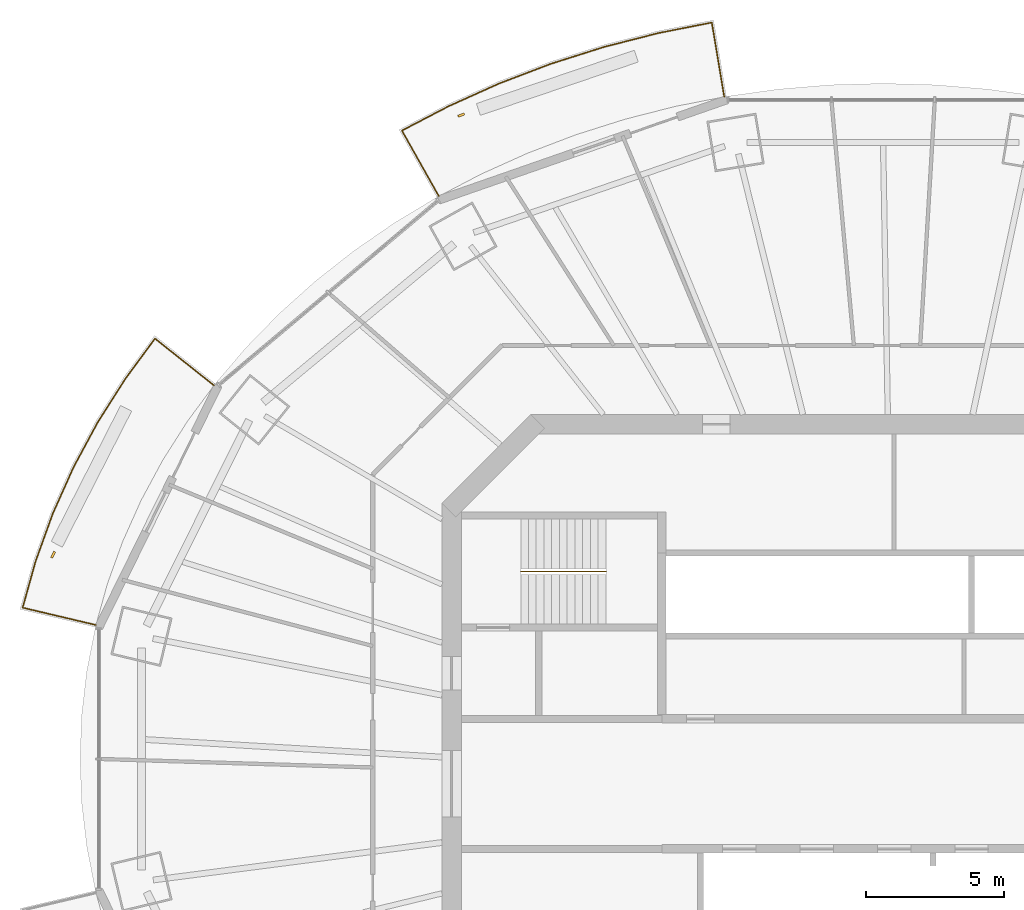
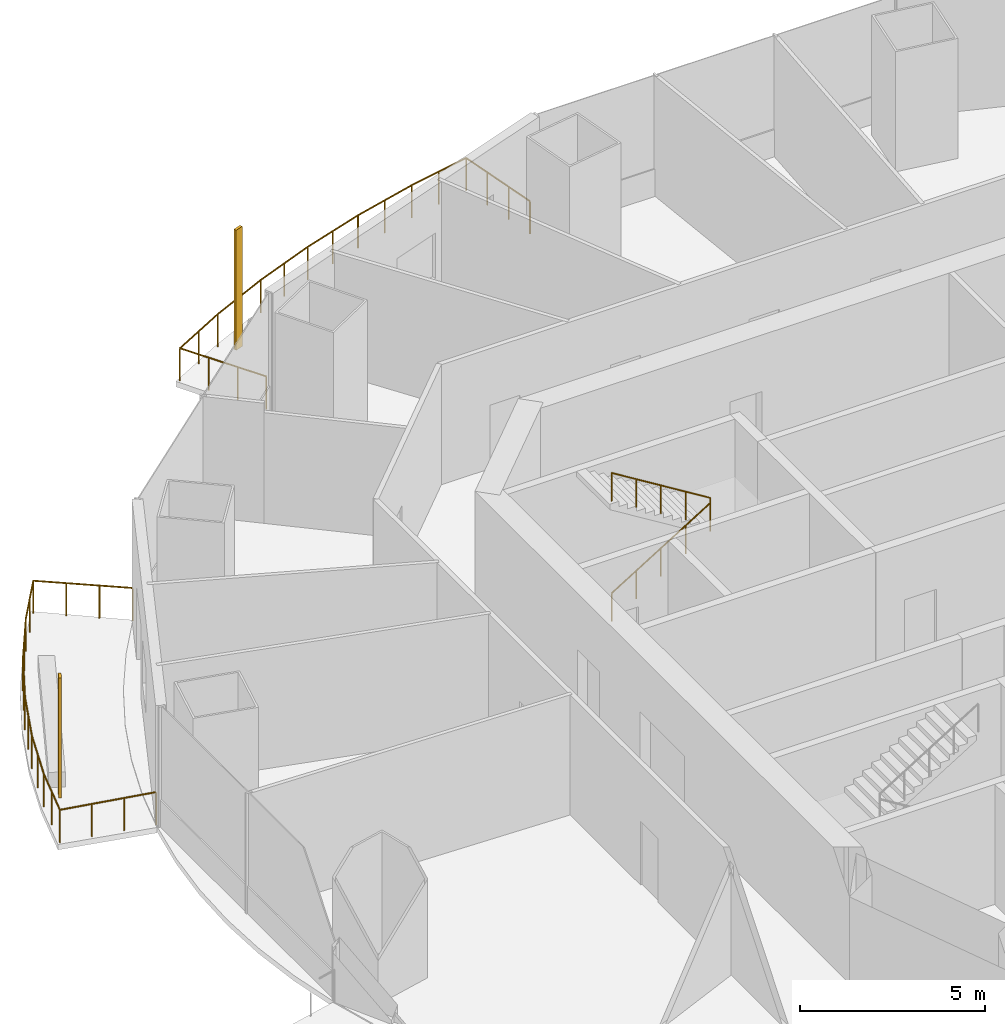
# One storey, part 14 of 16: 3 railings, 2 shading devices.
"""IFC4 building model written with IfcOpenShell, lengths in metres."""

import ifcopenshell
import ifcopenshell.guid

model = None  # the IFC model being written
_history = None  # IfcOwnerHistory: only IFC2X3 demands one
_inside = {}  # id of a spatial element -> (the spatial element, [elements in it])
_under = {}  # id of a project, library or spatial element -> (it, [spatial elements below it])
_declared = {}  # id of a project -> (the project, [libraries it declares])
_typed = {}  # id of a type object -> (the type object, [elements of that type])
_made_of = {}  # id of a material, layer set ... -> (it, [elements and type objects made of it])


def new_model(schema):
    """Start an empty IFC model of exactly this schema.

    Asked for "IFC4X3", IfcOpenShell would pick the latest addendum, in which some entities
    have other attributes; the version numbers below select the first issue.
    IFC2X3 requires an IfcOwnerHistory on every rooted entity: one is made here for all.
    """
    global model, _history
    if schema == "IFC4X3":
        model = ifcopenshell.file(schema_version=(4, 3, 0, 0))
    else:
        model = ifcopenshell.file(schema=schema)
    _inside.clear()
    _under.clear()
    _declared.clear()
    _typed.clear()
    _made_of.clear()
    _history = None
    if model.schema == "IFC2X3":
        org = make("IfcOrganization", Name="unknown")
        user = make(
            "IfcPersonAndOrganization",
            ThePerson=make("IfcPerson", FamilyName="unknown"),
            TheOrganization=org,
        )
        app = make(
            "IfcApplication",
            ApplicationDeveloper=org,
            Version="unknown",
            ApplicationFullName="unknown",
            ApplicationIdentifier="unknown",
        )
        _history = make(
            "IfcOwnerHistory",
            OwningUser=user,
            OwningApplication=app,
            ChangeAction="ADDED",
            CreationDate=0,
        )
    return model


def make(cls, **values):
    """One entity of the class cls with the attributes given. An attribute that is None is left unset."""
    return model.create_entity(
        cls, **{name: value for name, value in values.items() if value is not None}
    )


def rooted(cls, **values):
    """An entity with a GlobalId (a new one), such as an element, a storey or a relation."""
    return make(cls, GlobalId=ifcopenshell.guid.new(), OwnerHistory=_history, **values)


def si_unit(unit_type, name, prefix=None):
    """IfcSIUnit, for example si_unit("LENGTHUNIT", "METRE", prefix="MILLI")."""
    return make("IfcSIUnit", UnitType=unit_type, Prefix=prefix, Name=name)


def assignment(units):
    """IfcUnitAssignment: the units of a project."""
    return None if units is None else make("IfcUnitAssignment", Units=units)


def point(xyz):
    """IfcCartesianPoint."""
    return None if xyz is None else make("IfcCartesianPoint", Coordinates=xyz)


def direction(xyz):
    """IfcDirection."""
    return None if xyz is None else make("IfcDirection", DirectionRatios=xyz)


def frame(location, z_axis=None, x_axis=None):
    """IfcAxis2Placement3D, a coordinate frame: its origin and axes. An axis left out is left unset."""
    return make(
        "IfcAxis2Placement3D",
        Location=point(location),
        Axis=direction(z_axis),
        RefDirection=direction(x_axis),
    )


def frame_2d(location, x_axis=None):
    """IfcAxis2Placement2D, a coordinate frame in the plane: its origin and x axis."""
    return make(
        "IfcAxis2Placement2D", Location=point(location), RefDirection=direction(x_axis)
    )


def origin():
    """The frame at (0, 0, 0) with its axes left unset."""
    return frame((0.0, 0.0, 0.0))


def origin_2d():
    """The frame at (0, 0) in the plane with its x axis left unset."""
    return frame_2d((0.0, 0.0))


def place(relative_to, where):
    """IfcLocalPlacement: puts the frame where relative to a parent placement (None: the world)."""
    return make(
        "IfcLocalPlacement", PlacementRelTo=relative_to, RelativePlacement=where
    )


def context(
    kind, dimensions, precision=None, world=None, true_north=None, identifier=None
):
    """IfcGeometricRepresentationContext, for example the 3D "Model" context."""
    return make(
        "IfcGeometricRepresentationContext",
        ContextIdentifier=identifier,
        ContextType=kind,
        CoordinateSpaceDimension=dimensions,
        Precision=precision,
        WorldCoordinateSystem=world,
        TrueNorth=true_north,
    )


def subcontext(parent, identifier, kind, view, scale=None):
    """IfcGeometricRepresentationSubContext, for example "Body" below "Model"."""
    return make(
        "IfcGeometricRepresentationSubContext",
        ContextIdentifier=identifier,
        ContextType=kind,
        ParentContext=parent,
        TargetScale=scale,
        TargetView=view,
    )


def project(units=None, contexts=None):
    """IfcProject with its units and contexts."""
    return rooted(
        "IfcProject",
        Name="project",
        RepresentationContexts=contexts,
        UnitsInContext=assignment(units),
    )


def spatial(cls, under=None, at=None, **own):
    """A site, building, storey or space (cls), placed at a placement, below another one or the project."""
    s = rooted(cls, ObjectPlacement=at, **own)
    if under is not None:
        _under.setdefault(under.id(), (under, []))[1].append(s)
    return s


def profile(cls, at=None, kind="AREA", **sizes):
    """A parametric profile (cls). Its sizes go by their IFC names, for example OverallWidth=200.0."""
    return make(cls, ProfileType=kind, Position=at, **sizes)


def rectangle(**sizes):
    """IfcRectangleProfileDef."""
    return profile("IfcRectangleProfileDef", **sizes)


def circle(**sizes):
    """IfcCircleProfileDef."""
    return profile("IfcCircleProfileDef", **sizes)


def extrude(swept, where, along, depth):
    """IfcExtrudedAreaSolid: the profile swept, set in the frame where, extruded along a direction by depth."""
    return make(
        "IfcExtrudedAreaSolid",
        SweptArea=swept,
        Position=where,
        ExtrudedDirection=direction(along),
        Depth=depth,
    )


def shape(context_of_items, identifier, shape_type, items):
    """IfcShapeRepresentation: the items that make up one representation, for example the "Body"."""
    return make(
        "IfcShapeRepresentation",
        ContextOfItems=context_of_items,
        RepresentationIdentifier=identifier,
        RepresentationType=shape_type,
        Items=items,
    )


def material(Name=None, Category=None):
    """IfcMaterial."""
    return make("IfcMaterial", Name=Name, Category=Category)


def material_profile(
    of_material, cross_section, Name=None, Category=None, Priority=None
):
    """IfcMaterialProfile: a cross section and its material."""
    return make(
        "IfcMaterialProfile",
        Name=Name,
        Material=of_material,
        Profile=cross_section,
        Priority=Priority,
        Category=Category,
    )


def profile_set(profiles, Name=None, composite=None):
    """IfcMaterialProfileSet."""
    return make(
        "IfcMaterialProfileSet",
        Name=Name,
        MaterialProfiles=profiles,
        CompositeProfile=composite,
    )


def made_of(thing, what):
    """Note that an element or type object is made of a material, layer set ...; save() writes the relation."""
    if what is not None:
        _made_of.setdefault(what.id(), (what, []))[1].append(thing)
    return thing


def type_object(cls, material=None, **own):
    """A type object (cls), such as IfcWallType, which elements share."""
    return made_of(rooted(cls, **own), material)


def element(
    cls,
    number,
    at=None,
    inside=None,
    cuts=None,
    type_object=None,
    material=None,
    context=None,
    identifier="Body",
    shape_type=None,
    held_by="IfcProductDefinitionShape",
    body=None,
    shapes=None,
    **own,
):
    """One element of the class cls, such as IfcWall. Its Tag is "e" and its number.

    at: its placement. inside: the storey or other place that contains it. cuts: it is an
    opening in that element (IfcRelVoidsElement). A single representation is given by context,
    identifier, shape_type and body (its items); several are given by shapes. held_by: the class
    of the entity that holds the representations. save() writes the other relations.
    """
    e = rooted(cls, Tag="e%d" % number, ObjectPlacement=at, **own)
    if body is not None:
        shapes = [shape(context, identifier, shape_type, body)]
    if shapes is not None:
        e.Representation = make(held_by, Representations=shapes)
    if inside is not None:
        _inside.setdefault(inside.id(), (inside, []))[1].append(e)
    if cuts is not None:
        rooted(
            "IfcRelVoidsElement", RelatingBuildingElement=cuts, RelatedOpeningElement=e
        )
    if type_object is not None:
        _typed.setdefault(type_object.id(), (type_object, []))[1].append(e)
    return made_of(e, material)


def aggregate(whole, parts):
    """IfcRelAggregates: a whole, such as a stair, and the parts it consists of."""
    return rooted("IfcRelAggregates", RelatingObject=whole, RelatedObjects=parts)


def save(model, path):
    """Write the relations noted so far, then the file.

    IfcRelAggregates (storeys below a building ...), IfcRelContainedInSpatialStructure (elements
    in a storey), IfcRelDefinesByType, IfcRelAssociatesMaterial and IfcRelDeclares: one each for
    every whole, place, type object, material and project.
    """
    for whole, parts in _under.values():
        aggregate(whole, parts)
    for where, things in _inside.values():
        rooted(
            "IfcRelContainedInSpatialStructure",
            RelatedElements=things,
            RelatingStructure=where,
        )
    for kind, things in _typed.values():
        rooted("IfcRelDefinesByType", RelatedObjects=things, RelatingType=kind)
    for what, things in _made_of.values():
        rooted("IfcRelAssociatesMaterial", RelatedObjects=things, RelatingMaterial=what)
    for by, libraries in _declared.values():
        rooted("IfcRelDeclares", RelatingContext=by, RelatedDefinitions=libraries)
    model.write(path)


model = new_model("IFC4")

# Units and contexts
model_context = context("Model", 3, precision=1e-05, world=origin(), true_north=direction((0.0, 1.0)))
body_context = subcontext(model_context, "Body", "Model", "MODEL_VIEW")
ifc_project = project(units=[si_unit("LENGTHUNIT", "METRE"), si_unit("AREAUNIT", "SQUARE_METRE"), si_unit("VOLUMEUNIT", "CUBIC_METRE"), si_unit("PLANEANGLEUNIT", "RADIAN"), si_unit("MASSUNIT", "GRAM", prefix="KILO")], contexts=[model_context])

# Site, building, storey
site_placement = place(None, origin())
site = spatial("IfcSite", under=ifc_project, at=site_placement, CompositionType="ELEMENT")
building_placement = place(site_placement, origin())
building = spatial("IfcBuilding", under=site, at=building_placement, Name="Marenthal Gate Tower", CompositionType="ELEMENT")
storey_placement = place(building_placement, frame((0.0, 0.0, 284.5)))
storey = spatial("IfcBuildingStorey", under=building, at=storey_placement, Name="L63", CompositionType="ELEMENT", Elevation=284.5)

# Railings
ifc_material_1 = material(Name="Stainless steel", Category="steel")
railing_type_1 = type_object("IfcRailingType", Name="Balcony guard 1100", PredefinedType="GUARDRAIL", material=ifc_material_1)
railing_1_placement = place(storey_placement, frame((-16.462890625, 21.24609375, 0.0)))
element("IfcRailing", 1, at=railing_1_placement, inside=storey, type_object=railing_type_1, Name="Balcony guard L63 bay 5", PredefinedType="GUARDRAIL", context=body_context, shape_type="SweptSolid", body=[
    extrude(circle(Radius=0.02392578125, at=origin_2d()), frame((0.0, 0.0, 1.076171875), z_axis=(-0.490178311325, 0.871497909425, -0.014717913412), x_axis=(-0.871592315383, -0.490231410423, 0.0)), (0.0, 0.0, 1.0), 2.720458984375),
    extrude(circle(Radius=0.02392578125, at=origin_2d()), frame((-1.33349609375, 2.370849609375, 1.0361328125), z_axis=(0.886708263063, 0.462329380654, 0.0), x_axis=(-0.462329380654, 0.886708263063, 0.0)), (0.0, 0.0, 1.0), 1.904296875),
    extrude(circle(Radius=0.02392578125, at=origin_2d()), frame((0.35498046875, 3.251220703125, 1.0361328125), z_axis=(0.912054102505, 0.410069889293, 0.0), x_axis=(-0.410069889293, 0.912054102505, 0.0)), (0.0, 0.0, 1.0), 1.99755859375),
    extrude(circle(Radius=0.02392578125, at=origin_2d()), frame((2.1767578125, 4.0703125, 1.0361328125), z_axis=(0.934433846475, 0.356136752614, 0.0), x_axis=(-0.356136752614, 0.934433846475, 0.0)), (0.0, 0.0, 1.0), 2.010009765625),
    extrude(circle(Radius=0.02392578125, at=origin_2d()), frame((4.054931640625, 4.7861328125, 1.0361328125), z_axis=(0.953335850503, 0.301911835054, 0.0), x_axis=(-0.301911835054, 0.953335850503, 0.0)), (0.0, 0.0, 1.0), 2.020751953125),
    extrude(circle(Radius=0.02392578125, at=origin_2d()), frame((5.9814453125, 5.396240234375, 1.0361328125), z_axis=(0.968985746555, 0.247116618165, 0.0), x_axis=(-0.247116618165, 0.968985746555, 0.0)), (0.0, 0.0, 1.0), 2.0302734375),
    extrude(circle(Radius=0.02392578125, at=origin_2d()), frame((7.94873046875, 5.89794921875, 1.0361328125), z_axis=(0.981076209682, 0.193621979113, 0.0), x_axis=(-0.193621979113, 0.981076209682, 0.0)), (0.0, 0.0, 1.0), 1.958251953125),
    extrude(circle(Radius=0.02392578125, at=origin_2d()), frame((9.869873046875, 6.277099609375, 1.0361328125), z_axis=(0.16513793129, -0.986160646201, 0.014718815615), x_axis=(0.986267486225, 0.165155822229, 0.0)), (0.0, 0.0, 1.0), 2.72021484375),
    extrude(circle(Radius=0.02099609375, at=origin_2d()), origin(), (0.0, 0.0, 1.0), 1.052001953125),
    extrude(circle(Radius=0.02099609375, at=origin_2d()), frame((-0.444580078125, 0.790283203125, -0.013427734375)), (0.0, 0.0, 1.0), 1.052001953125),
    extrude(circle(Radius=0.02099609375, at=origin_2d()), frame((-0.888916015625, 1.58056640625, -0.026611328125)), (0.0, 0.0, 1.0), 1.052001953125),
    extrude(circle(Radius=0.02099609375, at=origin_2d()), frame((-1.33349609375, 2.370849609375, -0.0400390625)), (0.0, 0.0, 1.0), 1.052001953125),
    extrude(circle(Radius=0.02099609375, at=origin_2d()), frame((-0.4892578125, 2.81103515625, -0.0400390625)), (0.0, 0.0, 1.0), 1.052001953125),
    extrude(circle(Radius=0.02099609375, at=origin_2d()), frame((0.35498046875, 3.251220703125, -0.0400390625)), (0.0, 0.0, 1.0), 1.052001953125),
    extrude(circle(Radius=0.02099609375, at=origin_2d()), frame((1.265869140625, 3.66064453125, -0.0400390625)), (0.0, 0.0, 1.0), 1.052001953125),
    extrude(circle(Radius=0.02099609375, at=origin_2d()), frame((2.1767578125, 4.0703125, -0.0400390625)), (0.0, 0.0, 1.0), 1.052001953125),
    extrude(circle(Radius=0.02099609375, at=origin_2d()), frame((3.11572265625, 4.42822265625, -0.0400390625)), (0.0, 0.0, 1.0), 1.052001953125),
    extrude(circle(Radius=0.02099609375, at=origin_2d()), frame((4.054931640625, 4.7861328125, -0.0400390625)), (0.0, 0.0, 1.0), 1.052001953125),
    extrude(circle(Radius=0.02099609375, at=origin_2d()), frame((5.01806640625, 5.09130859375, -0.0400390625)), (0.0, 0.0, 1.0), 1.052001953125),
    extrude(circle(Radius=0.02099609375, at=origin_2d()), frame((5.9814453125, 5.396240234375, -0.0400390625)), (0.0, 0.0, 1.0), 1.052001953125),
    extrude(circle(Radius=0.02099609375, at=origin_2d()), frame((6.965087890625, 5.64697265625, -0.0400390625)), (0.0, 0.0, 1.0), 1.052001953125),
    extrude(circle(Radius=0.02099609375, at=origin_2d()), frame((7.94873046875, 5.89794921875, -0.0400390625)), (0.0, 0.0, 1.0), 1.052001953125),
    extrude(circle(Radius=0.02099609375, at=origin_2d()), frame((8.9091796875, 6.08740234375, -0.0400390625)), (0.0, 0.0, 1.0), 1.052001953125),
    extrude(circle(Radius=0.02099609375, at=origin_2d()), frame((9.869873046875, 6.277099609375, -0.0400390625)), (0.0, 0.0, 1.0), 1.052001953125),
    extrude(circle(Radius=0.02099609375, at=origin_2d()), frame((10.01953125, 5.3828125, -0.026611328125)), (0.0, 0.0, 1.0), 1.052001953125),
    extrude(circle(Radius=0.02099609375, at=origin_2d()), frame((10.16943359375, 4.48876953125, -0.013427734375)), (0.0, 0.0, 1.0), 1.052001953125),
    extrude(circle(Radius=0.02099609375, at=origin_2d()), frame((10.319091796875, 3.594482421875, 0.0)), (0.0, 0.0, 1.0), 1.052001953125),
])
railing_2_placement = place(storey_placement, frame((-28.861572265625, 5.742431640625, 0.0)))
element("IfcRailing", 2, at=railing_2_placement, inside=storey, type_object=railing_type_1, Name="Balcony guard L63 bay 7", PredefinedType="GUARDRAIL", context=body_context, shape_type="SweptSolid", body=[
    extrude(circle(Radius=0.02392578125, at=origin_2d()), frame((0.0, 0.0, 1.076171875), z_axis=(-0.973097096147, 0.229924814196, -0.014718059925), x_axis=(-0.229949721547, -0.973202510046, 0.0)), (0.0, 0.0, 1.0), 2.720458984375),
    extrude(circle(Radius=0.02392578125, at=origin_2d()), frame((-2.647216796875, 0.62548828125, 1.0361328125), z_axis=(0.268792920524, 0.963197988929, 0.0), x_axis=(-0.963197988929, 0.268792920524, 0.0)), (0.0, 0.0, 1.0), 1.7421875),
    extrude(circle(Radius=0.02392578125, at=origin_2d()), frame((-2.178955078125, 2.303466796875, 1.0361328125), z_axis=(0.339224848664, 0.94070532158, 0.0), x_axis=(-0.94070532158, 0.339224848664, 0.0)), (0.0, 0.0, 1.0), 1.830322265625),
    extrude(circle(Radius=0.02392578125, at=origin_2d()), frame((-1.55810546875, 4.025146484375, 1.0361328125), z_axis=(0.408427160426, 0.912790915066, 0.0), x_axis=(-0.912790915066, 0.408427160426, 0.0)), (0.0, 0.0, 1.0), 1.83984375),
    extrude(circle(Radius=0.02392578125, at=origin_2d()), frame((-0.806640625, 5.70458984375, 1.0361328125), z_axis=(0.474178476771, 0.880428743379, 0.0), x_axis=(-0.880428743379, 0.474178476771, 0.0)), (0.0, 0.0, 1.0), 1.85107421875),
    extrude(circle(Radius=0.02392578125, at=origin_2d()), frame((0.071044921875, 7.334228515625, 1.0361328125), z_axis=(0.536341470097, 0.844001082614, 0.0), x_axis=(-0.844001082614, 0.536341470097, 0.0)), (0.0, 0.0, 1.0), 1.864013671875),
    extrude(circle(Radius=0.02392578125, at=origin_2d()), frame((1.07080078125, 8.907470703125, 1.0361328125), z_axis=(0.593175870863, 0.805072907398, 0.0), x_axis=(-0.805072907398, 0.593175870863, 0.0)), (0.0, 0.0, 1.0), 1.79736328125),
    extrude(circle(Radius=0.02392578125, at=origin_2d()), frame((2.136962890625, 10.3544921875, 1.0361328125), z_axis=(0.783212380728, -0.621580033106, 0.014718325936), x_axis=(0.621647370214, 0.783297227817, 0.0)), (0.0, 0.0, 1.0), 2.720458984375),
    extrude(circle(Radius=0.02099609375, at=origin_2d()), origin(), (0.0, 0.0, 1.0), 1.052001953125),
    extrude(circle(Radius=0.02099609375, at=origin_2d()), frame((-0.88232421875, 0.20849609375, -0.013427734375)), (0.0, 0.0, 1.0), 1.052001953125),
    extrude(circle(Radius=0.02099609375, at=origin_2d()), frame((-1.764892578125, 0.4169921875, -0.026611328125)), (0.0, 0.0, 1.0), 1.052001953125),
    extrude(circle(Radius=0.02099609375, at=origin_2d()), frame((-2.647216796875, 0.62548828125, -0.0400390625)), (0.0, 0.0, 1.0), 1.052001953125),
    extrude(circle(Radius=0.02099609375, at=origin_2d()), frame((-2.4130859375, 1.46435546875, -0.0400390625)), (0.0, 0.0, 1.0), 1.052001953125),
    extrude(circle(Radius=0.02099609375, at=origin_2d()), frame((-2.178955078125, 2.303466796875, -0.0400390625)), (0.0, 0.0, 1.0), 1.052001953125),
    extrude(circle(Radius=0.02099609375, at=origin_2d()), frame((-1.86865234375, 3.164306640625, -0.0400390625)), (0.0, 0.0, 1.0), 1.052001953125),
    extrude(circle(Radius=0.02099609375, at=origin_2d()), frame((-1.55810546875, 4.025146484375, -0.0400390625)), (0.0, 0.0, 1.0), 1.052001953125),
    extrude(circle(Radius=0.02099609375, at=origin_2d()), frame((-1.182373046875, 4.86474609375, -0.0400390625)), (0.0, 0.0, 1.0), 1.052001953125),
    extrude(circle(Radius=0.02099609375, at=origin_2d()), frame((-0.806640625, 5.70458984375, -0.0400390625)), (0.0, 0.0, 1.0), 1.052001953125),
    extrude(circle(Radius=0.02099609375, at=origin_2d()), frame((-0.36767578125, 6.51953125, -0.0400390625)), (0.0, 0.0, 1.0), 1.052001953125),
    extrude(circle(Radius=0.02099609375, at=origin_2d()), frame((0.071044921875, 7.334228515625, -0.0400390625)), (0.0, 0.0, 1.0), 1.052001953125),
    extrude(circle(Radius=0.02099609375, at=origin_2d()), frame((0.57080078125, 8.120849609375, -0.0400390625)), (0.0, 0.0, 1.0), 1.052001953125),
    extrude(circle(Radius=0.02099609375, at=origin_2d()), frame((1.07080078125, 8.907470703125, -0.0400390625)), (0.0, 0.0, 1.0), 1.052001953125),
    extrude(circle(Radius=0.02099609375, at=origin_2d()), frame((1.60400390625, 9.630859375, -0.0400390625)), (0.0, 0.0, 1.0), 1.052001953125),
    extrude(circle(Radius=0.02099609375, at=origin_2d()), frame((2.136962890625, 10.3544921875, -0.0400390625)), (0.0, 0.0, 1.0), 1.052001953125),
    extrude(circle(Radius=0.02099609375, at=origin_2d()), frame((2.84716796875, 9.790771484375, -0.026611328125)), (0.0, 0.0, 1.0), 1.052001953125),
    extrude(circle(Radius=0.02099609375, at=origin_2d()), frame((3.557373046875, 9.227294921875, -0.013427734375)), (0.0, 0.0, 1.0), 1.052001953125),
    extrude(circle(Radius=0.02099609375, at=origin_2d()), frame((4.267578125, 8.66357421875, 0.0)), (0.0, 0.0, 1.0), 1.052001953125),
])
ifc_material_2 = material(Name="Stainless steel", Category="steel")
railing_type_2 = type_object("IfcRailingType", Name="Stair handrail", PredefinedType="HANDRAIL", material=ifc_material_2)
railing_3_placement = place(storey_placement, frame((-13.5, 7.675048828125, 0.1728515625)))
element("IfcRailing", 3, at=railing_3_placement, inside=storey, type_object=railing_type_2, Name="Handrail ST1", PredefinedType="HANDRAIL", context=body_context, shape_type="SweptSolid", body=[
    extrude(circle(Radius=0.0224609375, at=origin_2d()), frame((0.0, 0.0, 0.927490234375), z_axis=(0.850835241893, 0.0, 0.525432575268), x_axis=(0.0, 1.0, 0.0)), (0.0, 0.0, 1.0), 3.6201171875),
    extrude(circle(Radius=0.0224609375, at=origin_2d()), frame((3.080078125, 0.0, 2.82958984375), z_axis=(0.0, 0.0, 1.0), x_axis=(1.0, 0.0, 0.0)), (0.0, 0.0, 1.0), 0.1728515625),
    extrude(circle(Radius=0.0224609375, at=origin_2d()), frame((3.080078125, 0.0, 3.00244140625), z_axis=(-0.850835241893, 0.0, 0.525432575268), x_axis=(0.0, -1.0, 0.0)), (0.0, 0.0, 1.0), 3.6201171875),
    extrude(circle(Radius=0.02001953125, at=origin_2d()), origin(), (0.0, 0.0, 1.0), 0.905029296875),
    extrude(circle(Radius=0.02001953125, at=origin_2d()), frame((0.77001953125, 0.0, 0.4755859375)), (0.0, 0.0, 1.0), 0.905029296875),
    extrude(circle(Radius=0.02001953125, at=origin_2d()), frame((1.5400390625, 0.0, 0.951171875)), (0.0, 0.0, 1.0), 0.905029296875),
    extrude(circle(Radius=0.02001953125, at=origin_2d()), frame((2.31005859375, 0.0, 1.426513671875)), (0.0, 0.0, 1.0), 0.905029296875),
    extrude(circle(Radius=0.02001953125, at=origin_2d()), frame((3.080078125, 0.0, 1.902099609375)), (0.0, 0.0, 1.0), 0.905029296875),
    extrude(circle(Radius=0.02001953125, at=origin_2d()), frame((3.080078125, 0.0, 2.074951171875)), (0.0, 0.0, 1.0), 0.905029296875),
    extrude(circle(Radius=0.02001953125, at=origin_2d()), frame((2.31005859375, 0.0, 2.550537109375)), (0.0, 0.0, 1.0), 0.905029296875),
    extrude(circle(Radius=0.02001953125, at=origin_2d()), frame((1.5400390625, 0.0, 3.02587890625)), (0.0, 0.0, 1.0), 0.905029296875),
    extrude(circle(Radius=0.02001953125, at=origin_2d()), frame((0.77001953125, 0.0, 3.50146484375)), (0.0, 0.0, 1.0), 0.905029296875),
    extrude(circle(Radius=0.02001953125, at=origin_2d()), frame((0.0, 0.0, 3.97705078125)), (0.0, 0.0, 1.0), 0.905029296875),
])

# Shading devices
ifc_material_3 = material(Name="Terracotta", Category="masonry")
ifc_material_profile = material_profile(ifc_material_3, rectangle(XDim=0.25, YDim=0.080078125, at=origin_2d()), Name="Terracotta baguette 250x80")
ifc_profile_set = profile_set([ifc_material_profile], Name="Terracotta")
shading_device_type = type_object("IfcShadingDeviceType", Name="Terracotta BAGUETTE SCREEN 250x80", PredefinedType="USERDEFINED", material=ifc_profile_set)
for number, where, z_axis, x_axis, name in (
    (4, (-15.6533203125, 24.1767578125, -0.0400390625), (0.0, 0.0, 1.0), (-0.944304873933, -0.329071884345, 0.0), "Terracotta BAGUETTE L63 bay 5R"),
    (5, (-30.40234375, 8.28515625, -0.0400390625), (0.0, 0.0, 1.0), (-0.441711416968, -0.897157190307, 0.0), "Terracotta BAGUETTE L63 bay 7R"),
):
    element("IfcShadingDevice", number, at=place(storey_placement, frame(where, z_axis=z_axis, x_axis=x_axis)), inside=storey, type_object=shading_device_type, Name=name, ObjectType="BAGUETTE SCREEN", PredefinedType="USERDEFINED", context=body_context, shape_type="SweptSolid", body=[
        extrude(rectangle(XDim=0.25, YDim=0.080078125, at=origin_2d()), origin(), (0.0, 0.0, 1.0), 3.969970703125),
    ])

save(model, "model.ifc")
